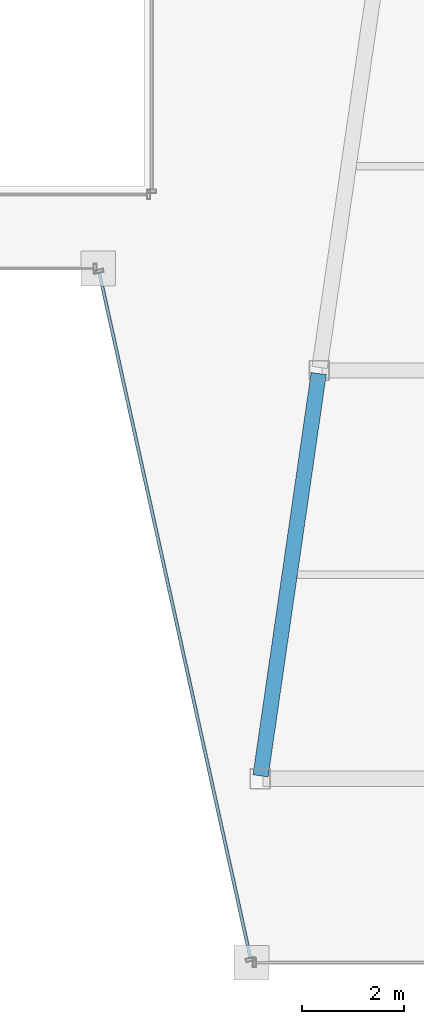
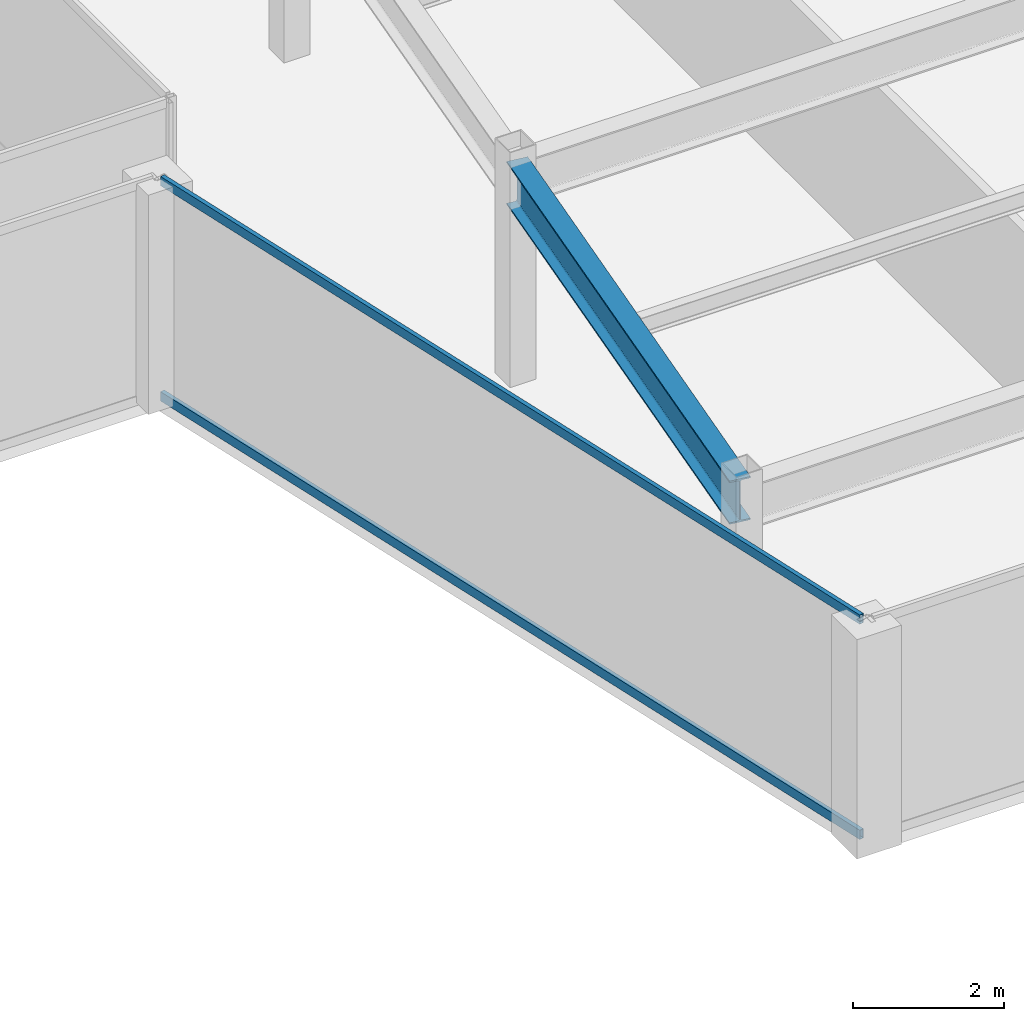
# One storey, part 17 of 35: 2 members, 1 beam, 1 element without a shape of its own.
"""IFC4 building model written with IfcOpenShell, lengths in metres."""

from ifc_helpers import new_model, si_unit, direction, frame, origin, origin_2d, place, context, subcontext, project, spatial, hollow_rectangle, i_section, extrude, material, material_profile, profile_set, type_object, element, aggregate, save


model = new_model("IFC4")

# Units and contexts
model_context = context("Model", 3, precision=1e-05, world=origin(), true_north=direction((0.0, 1.0)))
body_context = subcontext(model_context, "Body", "Model", "MODEL_VIEW")
ifc_project = project(units=[si_unit("LENGTHUNIT", "METRE"), si_unit("AREAUNIT", "SQUARE_METRE"), si_unit("VOLUMEUNIT", "CUBIC_METRE"), si_unit("PLANEANGLEUNIT", "RADIAN"), si_unit("MASSUNIT", "GRAM", prefix="KILO")], contexts=[model_context])

# Site, building, storey
site_placement = place(None, origin())
site = spatial("IfcSite", under=ifc_project, at=site_placement, CompositionType="ELEMENT")
building_placement = place(site_placement, origin())
building = spatial("IfcBuilding", under=site, at=building_placement, Name="Saevonmaru Cultural Tower", CompositionType="ELEMENT")
storey_placement = place(building_placement, frame((0.0, 0.0, 194.199951171875)))
storey = spatial("IfcBuildingStorey", under=building, at=storey_placement, Name="L44", CompositionType="ELEMENT", Elevation=194.199951171875)

# Beam
ifc_material_1 = material(Name="Steel SM355", Category="steel")
ifc_material_profile_1 = material_profile(ifc_material_1, i_section(OverallWidth=0.300048828125, OverallDepth=0.699951171875, WebThickness=0.012939453125, FlangeThickness=0.02392578125, FilletRadius=0.02587890625, at=origin_2d()), Name="H-700x300x13x24")
ifc_profile_set_1 = profile_set([ifc_material_profile_1], Name="Steel SM355")
beam_type = type_object("IfcBeamType", Name="BM-G-H700", PredefinedType="BEAM", material=ifc_profile_set_1)
beam_placement = place(storey_placement, frame((38.08056640625, 16.059326171875, 3.199951171875), z_axis=(0.143022161059, 0.989719486241, 0.0), x_axis=(-0.989719486241, 0.143022161059, 0.0)))
element("IfcBeam", 1, at=beam_placement, inside=storey, type_object=beam_type, Name="L44 East Atrium Girder 1", PredefinedType="BEAM", context=body_context, shape_type="SweptSolid", body=[
    extrude(i_section(OverallWidth=0.300048828125, OverallDepth=0.699951171875, WebThickness=0.012939453125, FlangeThickness=0.02392578125, FilletRadius=0.02587890625, at=origin_2d()), origin(), (0.0, 0.0, 1.0), 7.963134765625),
])

# Curtain wall, members
ifc_material_2 = material(Name="Satin Bronze Anodised Aluminium", Category="aluminium")
curtain_wall_type = type_object("IfcCurtainWallType", Name="CW-TYP-B", PredefinedType="NOTDEFINED", material=ifc_material_2)
curtain_wall_placement = place(storey_placement, origin())
curtain_wall = element("IfcCurtainWall", 2, at=curtain_wall_placement, inside=storey, type_object=curtain_wall_type, Name="L44 Unitised Curtain Wall E5", PredefinedType="NOTDEFINED")
ifc_material_profile_2 = material_profile(ifc_material_2, hollow_rectangle(XDim=0.06494140625, YDim=0.14990234375, WallThickness=0.00390625, at=origin_2d()), Name="ALU-TRAN-150x65x4")
ifc_profile_set_2 = profile_set([ifc_material_profile_2], Name="Satin Bronze Anodised Aluminium")
member_type = type_object("IfcMemberType", Name="TR-CW-150x65", PredefinedType="USERDEFINED", material=ifc_profile_set_2)
member_1_placement = place(storey_placement, frame((34.922119140625, 25.90966796875, 0.032470703125), z_axis=(0.21541214732, -0.976523223885, 0.0), x_axis=(0.976523223885, 0.21541214732, 0.0)))
member_1 = element("IfcMember", 3, at=member_1_placement, type_object=member_type, Name="CW-TW-L44-E5 transom 1.1", ObjectType="TRANSOM", PredefinedType="USERDEFINED", context=body_context, shape_type="SweptSolid", body=[
    extrude(hollow_rectangle(XDim=0.06494140625, YDim=0.14990234375, WallThickness=0.00390625, at=origin_2d()), origin(), (0.0, 0.0, 1.0), 13.741943359375),
])
member_2_placement = place(storey_placement, frame((34.922119140625, 25.90966796875, 3.517578125), z_axis=(0.21541214732, -0.976523223885, 0.0), x_axis=(0.976523223885, 0.21541214732, 0.0)))
member_2 = element("IfcMember", 4, at=member_2_placement, type_object=member_type, Name="CW-TW-L44-E5 transom 1.2", ObjectType="TRANSOM", PredefinedType="USERDEFINED", context=body_context, shape_type="SweptSolid", body=[
    extrude(hollow_rectangle(XDim=0.06494140625, YDim=0.14990234375, WallThickness=0.00390625, at=origin_2d()), origin(), (0.0, 0.0, 1.0), 13.741943359375),
])
aggregate(curtain_wall, [member_1, member_2])

save(model, "model.ifc")
